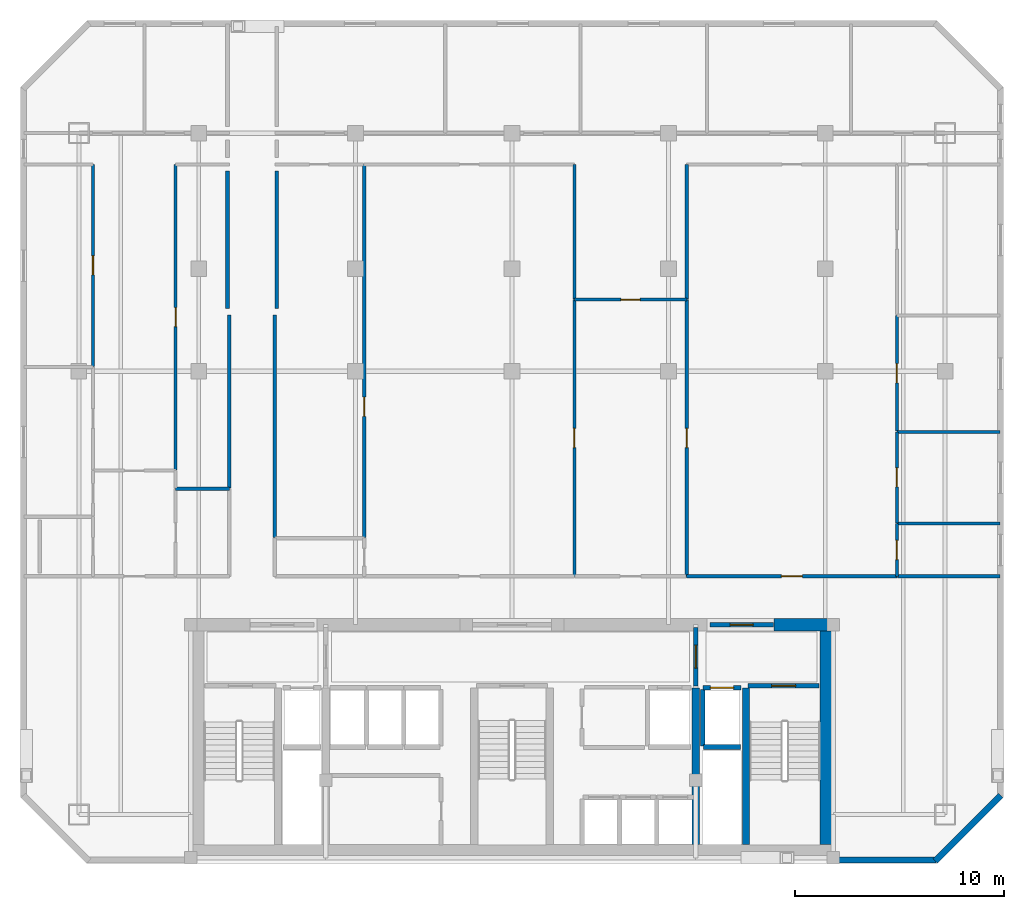
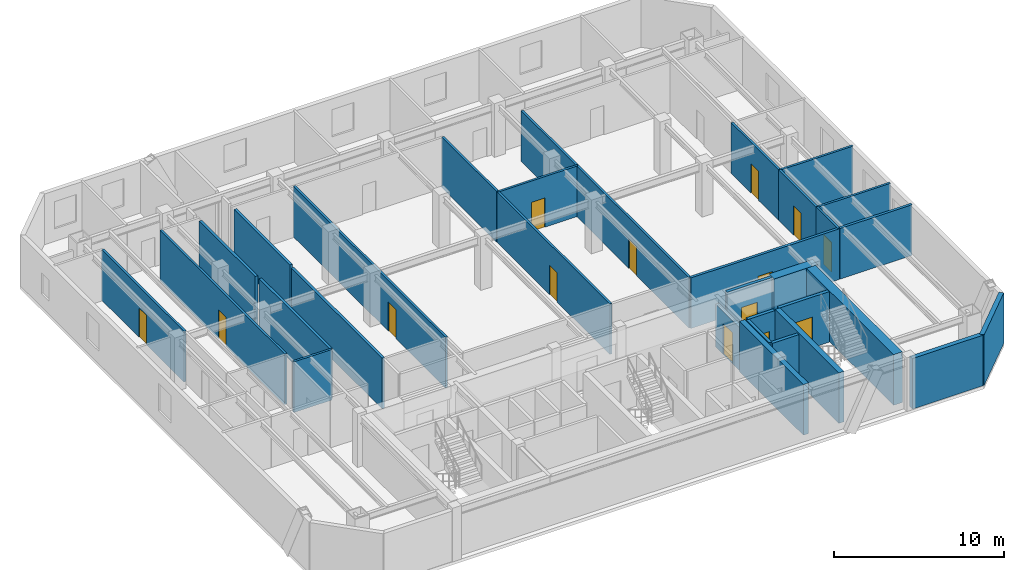
# One storey, part 4 of 7: 32 walls, 14 doors, 14 openings.
"""IFC4 building model written with IfcOpenShell, lengths in metres."""

import ifcopenshell
import ifcopenshell.guid

model = None  # the IFC model being written
_history = None  # IfcOwnerHistory: only IFC2X3 demands one
_inside = {}  # id of a spatial element -> (the spatial element, [elements in it])
_under = {}  # id of a project, library or spatial element -> (it, [spatial elements below it])
_declared = {}  # id of a project -> (the project, [libraries it declares])
_typed = {}  # id of a type object -> (the type object, [elements of that type])
_made_of = {}  # id of a material, layer set ... -> (it, [elements and type objects made of it])


def new_model(schema):
    """Start an empty IFC model of exactly this schema.

    Asked for "IFC4X3", IfcOpenShell would pick the latest addendum, in which some entities
    have other attributes; the version numbers below select the first issue.
    IFC2X3 requires an IfcOwnerHistory on every rooted entity: one is made here for all.
    """
    global model, _history
    if schema == "IFC4X3":
        model = ifcopenshell.file(schema_version=(4, 3, 0, 0))
    else:
        model = ifcopenshell.file(schema=schema)
    _inside.clear()
    _under.clear()
    _declared.clear()
    _typed.clear()
    _made_of.clear()
    _history = None
    if model.schema == "IFC2X3":
        org = make("IfcOrganization", Name="unknown")
        user = make(
            "IfcPersonAndOrganization",
            ThePerson=make("IfcPerson", FamilyName="unknown"),
            TheOrganization=org,
        )
        app = make(
            "IfcApplication",
            ApplicationDeveloper=org,
            Version="unknown",
            ApplicationFullName="unknown",
            ApplicationIdentifier="unknown",
        )
        _history = make(
            "IfcOwnerHistory",
            OwningUser=user,
            OwningApplication=app,
            ChangeAction="ADDED",
            CreationDate=0,
        )
    return model


def make(cls, **values):
    """One entity of the class cls with the attributes given. An attribute that is None is left unset."""
    return model.create_entity(
        cls, **{name: value for name, value in values.items() if value is not None}
    )


def rooted(cls, **values):
    """An entity with a GlobalId (a new one), such as an element, a storey or a relation."""
    return make(cls, GlobalId=ifcopenshell.guid.new(), OwnerHistory=_history, **values)


def si_unit(unit_type, name, prefix=None):
    """IfcSIUnit, for example si_unit("LENGTHUNIT", "METRE", prefix="MILLI")."""
    return make("IfcSIUnit", UnitType=unit_type, Prefix=prefix, Name=name)


def assignment(units):
    """IfcUnitAssignment: the units of a project."""
    return None if units is None else make("IfcUnitAssignment", Units=units)


def point(xyz):
    """IfcCartesianPoint."""
    return None if xyz is None else make("IfcCartesianPoint", Coordinates=xyz)


def direction(xyz):
    """IfcDirection."""
    return None if xyz is None else make("IfcDirection", DirectionRatios=xyz)


def frame(location, z_axis=None, x_axis=None):
    """IfcAxis2Placement3D, a coordinate frame: its origin and axes. An axis left out is left unset."""
    return make(
        "IfcAxis2Placement3D",
        Location=point(location),
        Axis=direction(z_axis),
        RefDirection=direction(x_axis),
    )


def frame_2d(location, x_axis=None):
    """IfcAxis2Placement2D, a coordinate frame in the plane: its origin and x axis."""
    return make(
        "IfcAxis2Placement2D", Location=point(location), RefDirection=direction(x_axis)
    )


def origin():
    """The frame at (0, 0, 0) with its axes left unset."""
    return frame((0.0, 0.0, 0.0))


def place(relative_to, where):
    """IfcLocalPlacement: puts the frame where relative to a parent placement (None: the world)."""
    return make(
        "IfcLocalPlacement", PlacementRelTo=relative_to, RelativePlacement=where
    )


def context(
    kind, dimensions, precision=None, world=None, true_north=None, identifier=None
):
    """IfcGeometricRepresentationContext, for example the 3D "Model" context."""
    return make(
        "IfcGeometricRepresentationContext",
        ContextIdentifier=identifier,
        ContextType=kind,
        CoordinateSpaceDimension=dimensions,
        Precision=precision,
        WorldCoordinateSystem=world,
        TrueNorth=true_north,
    )


def subcontext(parent, identifier, kind, view, scale=None):
    """IfcGeometricRepresentationSubContext, for example "Body" below "Model"."""
    return make(
        "IfcGeometricRepresentationSubContext",
        ContextIdentifier=identifier,
        ContextType=kind,
        ParentContext=parent,
        TargetScale=scale,
        TargetView=view,
    )


def project(units=None, contexts=None):
    """IfcProject with its units and contexts."""
    return rooted(
        "IfcProject",
        Name="project",
        RepresentationContexts=contexts,
        UnitsInContext=assignment(units),
    )


def spatial(cls, under=None, at=None, **own):
    """A site, building, storey or space (cls), placed at a placement, below another one or the project."""
    s = rooted(cls, ObjectPlacement=at, **own)
    if under is not None:
        _under.setdefault(under.id(), (under, []))[1].append(s)
    return s


def profile(cls, at=None, kind="AREA", **sizes):
    """A parametric profile (cls). Its sizes go by their IFC names, for example OverallWidth=200.0."""
    return make(cls, ProfileType=kind, Position=at, **sizes)


def rectangle(**sizes):
    """IfcRectangleProfileDef."""
    return profile("IfcRectangleProfileDef", **sizes)


def extrude(swept, where, along, depth):
    """IfcExtrudedAreaSolid: the profile swept, set in the frame where, extruded along a direction by depth."""
    return make(
        "IfcExtrudedAreaSolid",
        SweptArea=swept,
        Position=where,
        ExtrudedDirection=direction(along),
        Depth=depth,
    )


def shape(context_of_items, identifier, shape_type, items):
    """IfcShapeRepresentation: the items that make up one representation, for example the "Body"."""
    return make(
        "IfcShapeRepresentation",
        ContextOfItems=context_of_items,
        RepresentationIdentifier=identifier,
        RepresentationType=shape_type,
        Items=items,
    )


def material(Name=None, Category=None):
    """IfcMaterial."""
    return make("IfcMaterial", Name=Name, Category=Category)


def layer(
    of_material, thickness, ventilated=None, Name=None, Category=None, Priority=None
):
    """IfcMaterialLayer: one layer of a wall or slab, of a material (None: an air gap)."""
    return make(
        "IfcMaterialLayer",
        Material=of_material,
        LayerThickness=thickness,
        IsVentilated=ventilated,
        Name=Name,
        Category=Category,
        Priority=Priority,
    )


def layer_set(layers, Name=None):
    """IfcMaterialLayerSet."""
    return make("IfcMaterialLayerSet", MaterialLayers=layers, LayerSetName=Name)


def made_of(thing, what):
    """Note that an element or type object is made of a material, layer set ...; save() writes the relation."""
    if what is not None:
        _made_of.setdefault(what.id(), (what, []))[1].append(thing)
    return thing


def type_object(cls, material=None, **own):
    """A type object (cls), such as IfcWallType, which elements share."""
    return made_of(rooted(cls, **own), material)


def element(
    cls,
    number,
    at=None,
    inside=None,
    cuts=None,
    type_object=None,
    material=None,
    context=None,
    identifier="Body",
    shape_type=None,
    held_by="IfcProductDefinitionShape",
    body=None,
    shapes=None,
    **own,
):
    """One element of the class cls, such as IfcWall. Its Tag is "e" and its number.

    at: its placement. inside: the storey or other place that contains it. cuts: it is an
    opening in that element (IfcRelVoidsElement). A single representation is given by context,
    identifier, shape_type and body (its items); several are given by shapes. held_by: the class
    of the entity that holds the representations. save() writes the other relations.
    """
    e = rooted(cls, Tag="e%d" % number, ObjectPlacement=at, **own)
    if body is not None:
        shapes = [shape(context, identifier, shape_type, body)]
    if shapes is not None:
        e.Representation = make(held_by, Representations=shapes)
    if inside is not None:
        _inside.setdefault(inside.id(), (inside, []))[1].append(e)
    if cuts is not None:
        rooted(
            "IfcRelVoidsElement", RelatingBuildingElement=cuts, RelatedOpeningElement=e
        )
    if type_object is not None:
        _typed.setdefault(type_object.id(), (type_object, []))[1].append(e)
    return made_of(e, material)


def fill(opening, filler):
    """IfcRelFillsElement: the door or window that sits in an opening."""
    return rooted(
        "IfcRelFillsElement",
        RelatingOpeningElement=opening,
        RelatedBuildingElement=filler,
    )


def aggregate(whole, parts):
    """IfcRelAggregates: a whole, such as a stair, and the parts it consists of."""
    return rooted("IfcRelAggregates", RelatingObject=whole, RelatedObjects=parts)


def save(model, path):
    """Write the relations noted so far, then the file.

    IfcRelAggregates (storeys below a building ...), IfcRelContainedInSpatialStructure (elements
    in a storey), IfcRelDefinesByType, IfcRelAssociatesMaterial and IfcRelDeclares: one each for
    every whole, place, type object, material and project.
    """
    for whole, parts in _under.values():
        aggregate(whole, parts)
    for where, things in _inside.values():
        rooted(
            "IfcRelContainedInSpatialStructure",
            RelatedElements=things,
            RelatingStructure=where,
        )
    for kind, things in _typed.values():
        rooted("IfcRelDefinesByType", RelatedObjects=things, RelatingType=kind)
    for what, things in _made_of.values():
        rooted("IfcRelAssociatesMaterial", RelatedObjects=things, RelatingMaterial=what)
    for by, libraries in _declared.values():
        rooted("IfcRelDeclares", RelatingContext=by, RelatedDefinitions=libraries)
    model.write(path)


model = new_model("IFC4")

# Units and contexts
model_context = context("Model", 3, precision=1e-05, world=origin(), true_north=direction((0.0, 1.0)))
body_context = subcontext(model_context, "Body", "Model", "MODEL_VIEW")
ifc_project = project(units=[si_unit("LENGTHUNIT", "METRE"), si_unit("AREAUNIT", "SQUARE_METRE"), si_unit("VOLUMEUNIT", "CUBIC_METRE"), si_unit("PLANEANGLEUNIT", "RADIAN"), si_unit("MASSUNIT", "GRAM", prefix="KILO")], contexts=[model_context])

# Site, building, storey
site_placement = place(None, origin())
site = spatial("IfcSite", under=ifc_project, at=site_placement, CompositionType="ELEMENT")
building_placement = place(site_placement, origin())
building = spatial("IfcBuilding", under=site, at=building_placement, Name="Ventersveld Concourse Tower", CompositionType="ELEMENT")
storey_placement = place(building_placement, frame((0.0, 0.0, 211.85009765625)))
storey = spatial("IfcBuildingStorey", under=building, at=storey_placement, Name="L52", CompositionType="ELEMENT", Elevation=211.85009765625)

# Walls
ifc_material_1 = material(Name="Concrete C50/60", Category="concrete")
ifc_layer_1 = layer(ifc_material_1, 0.35009765625)
ifc_layer_set_1 = layer_set([ifc_layer_1], Name="Concrete C50/60")
wall_type_1 = type_object("IfcWallType", Name="WL-CORE-350U", PredefinedType="SHEAR", material=ifc_layer_set_1)
for number, where, z_axis, x_axis, name in (
    (1, (37.550048828125, 0.919921875, 0.0), (0.0, 0.0, 1.0), (0.0, 1.0, 0.0), "L52 Core Internal Shear Web W-SVL-W"),
    (2, (39.9599609375, 0.919921875, 0.0), (0.0, 0.0, 1.0), (0.0, 1.0, 0.0), "L52 Core Internal Shear Web W-ST2-W"),
):
    element("IfcWall", number, at=place(storey_placement, frame(where, z_axis=z_axis, x_axis=x_axis)), inside=storey, type_object=wall_type_1, Name=name, PredefinedType="SHEAR", context=body_context, shape_type="SweptSolid", body=[
        extrude(rectangle(XDim=7.5, YDim=0.35009765625, at=frame_2d((3.75, 0.0))), origin(), (0.0, 0.0, 1.0), 3.6298828125),
    ])
ifc_layer_2 = layer(ifc_material_1, 0.60009765625)
ifc_layer_set_2 = layer_set([ifc_layer_2], Name="Concrete C50/60")
wall_type_2 = type_object("IfcWallType", Name="WL-CORE-600", PredefinedType="SHEAR", material=ifc_layer_set_2)
wall_1_placement = place(storey_placement, frame((43.800048828125, 0.919921875, 0.0), z_axis=(0.0, 0.0, 1.0), x_axis=(0.0, 1.0, 0.0)))
element("IfcWall", 3, at=wall_1_placement, inside=storey, type_object=wall_type_2, Name="L52 Rear Core East Shear Wall", PredefinedType="SHEAR", context=body_context, shape_type="SweptSolid", body=[
    extrude(rectangle(XDim=10.530029296875, YDim=0.60009765625, at=frame_2d((5.26513671875, 0.0))), origin(), (0.0, 0.0, 1.0), 3.6298828125),
])
wall_2_placement = place(storey_placement, frame((41.300048828125, 11.449951171875, 0.0), z_axis=(0.0, 0.0, 1.0), x_axis=(1.0, 0.0, 0.0)))
element("IfcWall", 4, at=wall_2_placement, inside=storey, type_object=wall_type_2, Name="L52 Rear Core North Shear Wall NE", PredefinedType="SHEAR", context=body_context, shape_type="SweptSolid", body=[
    extrude(rectangle(XDim=2.949951171875, YDim=0.60009765625, at=frame_2d((1.47509765625, 0.0))), origin(), (0.0, 0.0, 1.0), 3.6298828125),
])
ifc_material_2 = material(Name="Fire-rated autoclaved aerated masonry blockwork", Category="masonry")
ifc_layer_3 = layer(ifc_material_2, 0.179931640625)
ifc_layer_set_3 = layer_set([ifc_layer_3], Name="Fire-rated autoclaved aerated masonry blockwork")
wall_type_3 = type_object("IfcWallType", Name="WL-CORR-180", PredefinedType="PARTITIONING", material=ifc_layer_set_3)
wall_3_placement = place(storey_placement, frame((15.2099609375, 17.997314453125, 0.0), z_axis=(0.0, 0.0, 1.0), x_axis=(0.0, 1.0, 0.0)))
element("IfcWall", 5, at=wall_3_placement, inside=storey, type_object=wall_type_3, Name="L52 Interior Partition SP-L52-COR-SP-L52-52NW-OFFR1", PredefinedType="PARTITIONING", context=body_context, shape_type="SweptSolid", body=[
    extrude(rectangle(XDim=8.297607421875, YDim=0.179931640625, at=frame_2d((4.14892578125, 0.0))), origin(), (0.0, 0.0, 1.0), 3.6298828125),
])

# Wall, opening, door
wall_4_placement = place(storey_placement, frame((37.114990234375, 13.77001953125, 0.0), z_axis=(0.0, 0.0, 1.0), x_axis=(1.0, 0.0, 0.0)))
wall_4 = element("IfcWall", 6, at=wall_4_placement, inside=storey, type_object=wall_type_3, Name="L52 Interior Partition SP-L52-COR-SP-L52-52N1-EGAL1", PredefinedType="PARTITIONING", context=body_context, shape_type="SweptSolid", body=[
    extrude(rectangle(XDim=10.080078125, YDim=0.179931640625, at=frame_2d((5.0400390625, 0.0))), origin(), (0.0, 0.0, 1.0), 3.6298828125),
])
opening_1_placement = place(wall_4_placement, frame((4.5400390625, 0.0, 0.0)))
opening_1 = element("IfcOpeningElement", 7, at=opening_1_placement, cuts=wall_4, Name="Opening FD3", PredefinedType="OPENING", context=body_context, shape_type="SweptSolid", body=[
    extrude(rectangle(XDim=1.0, YDim=2.14990234375, at=frame_2d((0.5, 1.074951171875))), frame((0.0, 0.10009765625, 0.0), z_axis=(0.0, -1.0, 0.0), x_axis=(1.0, 0.0, 0.0)), (0.0, 0.0, 1.0), 0.199951171875),
])
ifc_material_3 = material(Name="Solid-core hardwood veneer timber", Category="wood")
door_type_1 = type_object("IfcDoorType", Name="DR-FLAT-100", OperationType="NOTDEFINED", PredefinedType="DOOR", material=ifc_material_3)
door_1_placement = place(opening_1_placement, origin())
door_1 = element("IfcDoor", 8, at=door_1_placement, inside=storey, type_object=door_type_1, Name="L52 Interior Door SP-L52-COR to SP-L52-52N1-EGAL1 (FD-L52-2524)", OperationType="SINGLE_SWING_RIGHT", OverallHeight=2.14990234375, OverallWidth=1.0, PredefinedType="DOOR", context=body_context, shape_type="SweptSolid", body=[
    extrude(rectangle(XDim=1.0, YDim=2.14990234375, at=frame_2d((0.5, 1.074951171875))), frame((0.0, 0.02490234375, 0.0), z_axis=(0.0, -1.0, 0.0), x_axis=(1.0, 0.0, 0.0)), (0.0, 0.0, 1.0), 0.050048828125),
])
fill(opening_1, door_1)

# Walls
wall_5_placement = place(storey_placement, frame((17.389892578125, 15.635009765625, 0.0), z_axis=(0.0, 0.0, 1.0), x_axis=(0.0, 1.0, 0.0)))
element("IfcWall", 9, at=wall_5_placement, inside=storey, type_object=wall_type_3, Name="L52 Interior Partition SP-L52-COR-SP-L52-52N1-OFFL0", PredefinedType="PARTITIONING", context=body_context, shape_type="SweptSolid", body=[
    extrude(rectangle(XDim=10.659912109375, YDim=0.179931640625, at=frame_2d((5.330078125, 0.0))), origin(), (0.0, 0.0, 1.0), 3.6298828125),
])
wall_6_placement = place(storey_placement, frame((47.22509765625, 13.77001953125, 0.0), z_axis=(0.0, 0.0, 1.0), x_axis=(1.0, 0.0, 0.0)))
element("IfcWall", 10, at=wall_6_placement, inside=storey, type_object=wall_type_3, Name="L52 Interior Partition SP-L52-COR-SP-L52-52N1-KIT", PredefinedType="PARTITIONING", context=body_context, shape_type="SweptSolid", body=[
    extrude(rectangle(XDim=4.90234375, YDim=0.179931640625, at=frame_2d((2.451171875, 0.0))), origin(), (0.0, 0.0, 1.0), 3.6298828125),
])
for number, where, z_axis, x_axis, name in (
    (11, (15.1201171875, 33.175048828125, 0.0), (0.0, 0.0, 1.0), (0.0, -1.0, 0.0), "L52 Room Enclosure Wall SP-L52-52NW-OFFR1"),
    (12, (17.47998046875, 26.60986328125, 0.0), (0.0, 0.0, 1.0), (0.0, 1.0, 0.0), "L52 Room Enclosure Wall SP-L52-52N1-OFFL0"),
):
    element("IfcWall", number, at=place(storey_placement, frame(where, z_axis=z_axis, x_axis=x_axis)), inside=storey, type_object=wall_type_3, Name=name, PredefinedType="PARTITIONING", context=body_context, shape_type="SweptSolid", body=[
        extrude(rectangle(XDim=6.565185546875, YDim=0.179931640625, at=frame_2d((3.28271484375, 0.0))), origin(), (0.0, 0.0, 1.0), 3.6298828125),
    ])
ifc_layer_4 = layer(ifc_material_2, 0.219970703125)
ifc_layer_set_4 = layer_set([ifc_layer_4], Name="Fire-rated autoclaved aerated masonry blockwork")
wall_type_4 = type_object("IfcWallType", Name="WL-HOIST-220", PredefinedType="SOLIDWALL", material=ifc_layer_set_4)
wall_7_placement = place(storey_placement, frame((37.919921875, 5.590087890625, 0.0), z_axis=(0.0, 0.0, 1.0), x_axis=(1.0, 0.0, 0.0)))
element("IfcWall", 13, at=wall_7_placement, inside=storey, type_object=wall_type_4, Name="L52 Lift Hoistway Back Wall FFL-02", PredefinedType="SOLIDWALL", context=body_context, shape_type="SweptSolid", body=[
    extrude(rectangle(XDim=1.780029296875, YDim=0.219970703125, at=frame_2d((0.89013671875, 0.0))), origin(), (0.0, 0.0, 1.0), 3.6298828125),
])
wall_8_placement = place(storey_placement, frame((37.8798828125, 5.64990234375, 0.0), z_axis=(0.0, 0.0, 1.0), x_axis=(0.0, 1.0, 0.0)))
element("IfcWall", 14, at=wall_8_placement, inside=storey, type_object=wall_type_4, Name="L52 Lift Hoistway Side Wall FFL-02W", PredefinedType="SOLIDWALL", context=body_context, shape_type="SweptSolid", body=[
    extrude(rectangle(XDim=2.7001953125, YDim=0.219970703125, at=frame_2d((1.35009765625, 0.0))), origin(), (0.0, 0.0, 1.0), 3.6298828125),
])

# Wall, opening, door
wall_9_placement = place(storey_placement, frame((37.89990234375, 8.429931640625, 0.0), z_axis=(0.0, 0.0, 1.0), x_axis=(1.0, 0.0, 0.0)))
wall_9 = element("IfcWall", 15, at=wall_9_placement, inside=storey, type_object=wall_type_4, Name="L52 Lift Hoistway Front Wall FFL-02", PredefinedType="SOLIDWALL", context=body_context, shape_type="SweptSolid", body=[
    extrude(rectangle(XDim=1.820068359375, YDim=0.219970703125, at=frame_2d((0.91015625, 0.0))), origin(), (0.0, 0.0, 1.0), 3.6298828125),
])
opening_2_placement = place(wall_9_placement, frame((0.35009765625, 0.0, 0.0)))
opening_2 = element("IfcOpeningElement", 16, at=opening_2_placement, cuts=wall_9, Name="Opening LD1", PredefinedType="OPENING", context=body_context, shape_type="SweptSolid", body=[
    extrude(rectangle(XDim=1.1201171875, YDim=2.25, at=frame_2d((0.56005859375, 1.125))), frame((0.0, 0.1201171875, 0.0), z_axis=(0.0, -1.0, 0.0), x_axis=(1.0, 0.0, 0.0)), (0.0, 0.0, 1.0), 0.239990234375),
])
ifc_material_4 = material(Name="Brushed stainless steel 316", Category="steel")
door_type_2 = type_object("IfcDoorType", Name="LD-FF-112", OperationType="SLIDING_TO_LEFT", PredefinedType="DOOR", material=ifc_material_4)
door_2_placement = place(opening_2_placement, origin())
door_2 = element("IfcDoor", 17, at=door_2_placement, inside=storey, type_object=door_type_2, Name="L52 Lift landing door FFL-02 (LD-L52-FFL-02)", OperationType="SLIDING_TO_RIGHT", OverallHeight=2.25, OverallWidth=1.1201171875, PredefinedType="DOOR", context=body_context, shape_type="SweptSolid", body=[
    extrude(rectangle(XDim=1.1201171875, YDim=2.25, at=frame_2d((0.56005859375, 1.125))), frame((0.0, 0.02490234375, 0.0), z_axis=(0.0, -1.0, 0.0), x_axis=(1.0, 0.0, 0.0)), (0.0, 0.0, 1.0), 0.050048828125),
])
fill(opening_2, door_2)

wall_10_placement = place(storey_placement, frame((40.06005859375, 8.52001953125, 0.0), z_axis=(0.0, 0.0, 1.0), x_axis=(1.0, 0.0, 0.0)))
wall_10 = element("IfcWall", 18, at=wall_10_placement, inside=storey, type_object=wall_type_4, Name="L52 Escape Stair ST02 Fire Wall", PredefinedType="SOLIDWALL", context=body_context, shape_type="SweptSolid", body=[
    extrude(rectangle(XDim=3.39990234375, YDim=0.219970703125, at=frame_2d((1.699951171875, 0.0))), origin(), (0.0, 0.0, 1.0), 3.6298828125),
])
opening_3_placement = place(wall_10_placement, frame((1.125, 0.0, 0.0)))
opening_3 = element("IfcOpeningElement", 19, at=opening_3_placement, cuts=wall_10, Name="Opening FD1", PredefinedType="OPENING", context=body_context, shape_type="SweptSolid", body=[
    extrude(rectangle(XDim=1.14990234375, YDim=2.199951171875, at=frame_2d((0.574951171875, 1.10009765625))), frame((0.0, 0.1201171875, 0.0), z_axis=(0.0, -1.0, 0.0), x_axis=(1.0, 0.0, 0.0)), (0.0, 0.0, 1.0), 0.239990234375),
])
ifc_material_5 = material(Name="Galvanised painted steel", Category="steel")
door_type_3 = type_object("IfcDoorType", Name="DR-STAIR-115", OperationType="NOTDEFINED", PredefinedType="DOOR", material=ifc_material_5)
door_3_placement = place(opening_3_placement, origin())
door_3 = element("IfcDoor", 20, at=door_3_placement, inside=storey, type_object=door_type_3, Name="L52 Escape Stair Door ST02 (SD-L52-2513)", OperationType="SINGLE_SWING_RIGHT", OverallHeight=2.199951171875, OverallWidth=1.14990234375, PredefinedType="DOOR", context=body_context, shape_type="SweptSolid", body=[
    extrude(rectangle(XDim=1.14990234375, YDim=2.199951171875, at=frame_2d((0.574951171875, 1.10009765625))), frame((0.0, 0.02490234375, 0.0), z_axis=(0.0, -1.0, 0.0), x_axis=(1.0, 0.0, 0.0)), (0.0, 0.0, 1.0), 0.050048828125),
])
fill(opening_3, door_3)

wall_11_placement = place(storey_placement, frame((37.550048828125, 8.52001953125, 0.0), z_axis=(0.0, 0.0, 1.0), x_axis=(0.0, 1.0, 0.0)))
wall_11 = element("IfcWall", 21, at=wall_11_placement, inside=storey, type_object=wall_type_4, Name="L52 Firefighting Lobby Smoke-Stop Wall FFLE-SEP", PredefinedType="SOLIDWALL", context=body_context, shape_type="SweptSolid", body=[
    extrude(rectangle(XDim=2.800048828125, YDim=0.219970703125, at=frame_2d((1.39990234375, 0.0))), origin(), (0.0, 0.0, 1.0), 3.08544921875),
])
opening_4_placement = place(wall_11_placement, frame((0.85009765625, 0.0, 0.0)))
opening_4 = element("IfcOpeningElement", 22, at=opening_4_placement, cuts=wall_11, Name="Opening FD2", PredefinedType="OPENING", context=body_context, shape_type="SweptSolid", body=[
    extrude(rectangle(XDim=1.10009765625, YDim=2.199951171875, at=frame_2d((0.550048828125, 1.10009765625))), frame((0.0, 0.1201171875, 0.0), z_axis=(0.0, -1.0, 0.0), x_axis=(1.0, 0.0, 0.0)), (0.0, 0.0, 1.0), 0.239990234375),
])
door_type_4 = type_object("IfcDoorType", Name="DR-FFL-110", OperationType="NOTDEFINED", PredefinedType="DOOR", material=ifc_material_5)
door_4_placement = place(opening_4_placement, origin())
door_4 = element("IfcDoor", 23, at=door_4_placement, inside=storey, type_object=door_type_4, Name="L52 Firefighting Lobby Door FFLE-SEP (FD-L52-2516)", OperationType="SINGLE_SWING_RIGHT", OverallHeight=2.199951171875, OverallWidth=1.10009765625, PredefinedType="DOOR", context=body_context, shape_type="SweptSolid", body=[
    extrude(rectangle(XDim=1.10009765625, YDim=2.199951171875, at=frame_2d((0.550048828125, 1.10009765625))), frame((0.0, 0.02490234375, 0.0), z_axis=(0.0, -1.0, 0.0), x_axis=(1.0, 0.0, 0.0)), (0.0, 0.0, 1.0), 0.050048828125),
])
fill(opening_4, door_4)

wall_12_placement = place(storey_placement, frame((38.22998046875, 11.449951171875, 0.0), z_axis=(0.0, 0.0, 1.0), x_axis=(1.0, 0.0, 0.0)))
wall_12 = element("IfcWall", 24, at=wall_12_placement, inside=storey, type_object=wall_type_4, Name="L52 Core North Fire Portal FFLE-OUT", PredefinedType="SOLIDWALL", context=body_context, shape_type="SweptSolid", body=[
    extrude(rectangle(XDim=3.0400390625, YDim=0.219970703125, at=frame_2d((1.52001953125, 0.0))), origin(), (0.0, 0.0, 1.0), 3.6298828125),
])
opening_5_placement = place(wall_12_placement, frame((0.969970703125, 0.0, 0.0)))
opening_5 = element("IfcOpeningElement", 25, at=opening_5_placement, cuts=wall_12, Name="Opening FD2", PredefinedType="OPENING", context=body_context, shape_type="SweptSolid", body=[
    extrude(rectangle(XDim=1.10009765625, YDim=2.199951171875, at=frame_2d((0.550048828125, 1.10009765625))), frame((0.0, 0.1201171875, 0.0), z_axis=(0.0, -1.0, 0.0), x_axis=(1.0, 0.0, 0.0)), (0.0, 0.0, 1.0), 0.239990234375),
])
door_5_placement = place(opening_5_placement, origin())
door_5 = element("IfcDoor", 26, at=door_5_placement, inside=storey, type_object=door_type_4, Name="L52 Core Lobby Fire Door FFLE-OUT (FD-L52-2519)", OperationType="SINGLE_SWING_LEFT", OverallHeight=2.199951171875, OverallWidth=1.10009765625, PredefinedType="DOOR", context=body_context, shape_type="SweptSolid", body=[
    extrude(rectangle(XDim=1.10009765625, YDim=2.199951171875, at=frame_2d((0.550048828125, 1.10009765625))), frame((0.0, 0.02490234375, 0.0), z_axis=(0.0, -1.0, 0.0), x_axis=(1.0, 0.0, 0.0)), (0.0, 0.0, 1.0), 0.050048828125),
])
fill(opening_5, door_5)

ifc_material_6 = material(Name="Autoclaved aerated masonry blockwork", Category="masonry")
ifc_layer_5 = layer(ifc_material_6, 0.14990234375)
ifc_layer_set_5 = layer_set([ifc_layer_5], Name="Autoclaved aerated masonry blockwork")
wall_type_5 = type_object("IfcWallType", Name="WL-INT-150", PredefinedType="PARTITIONING", material=ifc_layer_set_5)
wall_13_placement = place(storey_placement, frame((8.677490234375, 23.826416015625, 0.0), z_axis=(0.0, 0.0, 1.0), x_axis=(0.0, 1.0, 0.0)))
wall_13 = element("IfcWall", 27, at=wall_13_placement, inside=storey, type_object=wall_type_5, Name="L52 Interior Partition SP-L52-52NW-LIV-SP-L52-52NW-MEDL2", PredefinedType="PARTITIONING", context=body_context, shape_type="SweptSolid", body=[
    extrude(rectangle(XDim=9.678466796875, YDim=0.14990234375, at=frame_2d((4.83935546875, 0.0))), origin(), (0.0, 0.0, 1.0), 3.6298828125),
])
opening_6_placement = place(wall_13_placement, frame((4.37939453125, 0.0, 0.0)))
opening_6 = element("IfcOpeningElement", 28, at=opening_6_placement, cuts=wall_13, Name="Opening ID1", PredefinedType="OPENING", context=body_context, shape_type="SweptSolid", body=[
    extrude(rectangle(XDim=0.919921875, YDim=2.10009765625, at=frame_2d((0.4599609375, 1.050048828125))), frame((0.0, 0.0849609375, 0.0), z_axis=(0.0, -1.0, 0.0), x_axis=(1.0, 0.0, 0.0)), (0.0, 0.0, 1.0), 0.169921875),
])
door_type_5 = type_object("IfcDoorType", Name="DR-ROOM-092", OperationType="NOTDEFINED", PredefinedType="DOOR", material=ifc_material_3)
door_6_placement = place(opening_6_placement, origin())
door_6 = element("IfcDoor", 29, at=door_6_placement, inside=storey, type_object=door_type_5, Name="L52 Interior Door SP-L52-52NW-LIV to SP-L52-52NW-MEDL2 (D-L52-2531)", OperationType="SINGLE_SWING_LEFT", OverallHeight=2.10009765625, OverallWidth=0.919921875, PredefinedType="DOOR", context=body_context, shape_type="SweptSolid", body=[
    extrude(rectangle(XDim=0.919921875, YDim=2.10009765625, at=frame_2d((0.4599609375, 1.050048828125))), frame((0.0, 0.02490234375, 0.0), z_axis=(0.0, -1.0, 0.0), x_axis=(1.0, 0.0, 0.0)), (0.0, 0.0, 1.0), 0.050048828125),
])
fill(opening_6, door_6)

wall_14_placement = place(storey_placement, frame((12.637451171875, 18.868408203125, 0.0), z_axis=(0.0, 0.0, 1.0), x_axis=(0.0, 1.0, 0.0)))
wall_14 = element("IfcWall", 30, at=wall_14_placement, inside=storey, type_object=wall_type_5, Name="L52 Interior Partition SP-L52-52NW-LIV-SP-L52-52NW-OFFR1", PredefinedType="PARTITIONING", context=body_context, shape_type="SweptSolid", body=[
    extrude(rectangle(XDim=14.636474609375, YDim=0.14990234375, at=frame_2d((7.318359375, 0.0))), origin(), (0.0, 0.0, 1.0), 3.6298828125),
])
opening_7_placement = place(wall_14_placement, frame((6.8583984375, 0.0, 0.0)))
opening_7 = element("IfcOpeningElement", 31, at=opening_7_placement, cuts=wall_14, Name="Opening ID1", PredefinedType="OPENING", context=body_context, shape_type="SweptSolid", body=[
    extrude(rectangle(XDim=0.919921875, YDim=2.10009765625, at=frame_2d((0.4599609375, 1.050048828125))), frame((0.0, 0.0849609375, 0.0), z_axis=(0.0, -1.0, 0.0), x_axis=(1.0, 0.0, 0.0)), (0.0, 0.0, 1.0), 0.169921875),
])
door_7_placement = place(opening_7_placement, origin())
door_7 = element("IfcDoor", 32, at=door_7_placement, inside=storey, type_object=door_type_5, Name="L52 Interior Door SP-L52-52NW-LIV to SP-L52-52NW-OFFR1 (D-L52-2532)", OperationType="SINGLE_SWING_RIGHT", OverallHeight=2.10009765625, OverallWidth=0.919921875, PredefinedType="DOOR", context=body_context, shape_type="SweptSolid", body=[
    extrude(rectangle(XDim=0.919921875, YDim=2.10009765625, at=frame_2d((0.4599609375, 1.050048828125))), frame((0.0, 0.02490234375, 0.0), z_axis=(0.0, -1.0, 0.0), x_axis=(1.0, 0.0, 0.0)), (0.0, 0.0, 1.0), 0.050048828125),
])
fill(opening_7, door_7)

# Wall
wall_15_placement = place(storey_placement, frame((12.63232421875, 17.96240234375, 0.0), z_axis=(0.0, 0.0, 1.0), x_axis=(1.0, 0.0, 0.0)))
element("IfcWall", 33, at=wall_15_placement, inside=storey, type_object=wall_type_5, Name="L52 Interior Partition SP-L52-52NW-KIT-SP-L52-52NW-OFFR1", PredefinedType="PARTITIONING", context=body_context, shape_type="SweptSolid", body=[
    extrude(rectangle(XDim=2.582763671875, YDim=0.14990234375, at=frame_2d((1.29150390625, 0.0))), origin(), (0.0, 0.0, 1.0), 3.6298828125),
])

# Wall, opening, door
wall_16_placement = place(storey_placement, frame((31.739990234375, 13.764892578125, 0.0), z_axis=(0.0, 0.0, 1.0), x_axis=(0.0, 1.0, 0.0)))
wall_16 = element("IfcWall", 34, at=wall_16_placement, inside=storey, type_object=wall_type_5, Name="L52 Interior Partition SP-L52-52N1-WGAL1-SP-L52-52N1-FOY", PredefinedType="PARTITIONING", context=body_context, shape_type="SweptSolid", body=[
    extrude(rectangle(XDim=13.26708984375, YDim=0.14990234375, at=frame_2d((6.633544921875, 0.0))), origin(), (0.0, 0.0, 1.0), 3.6298828125),
])
opening_8_placement = place(wall_16_placement, frame((6.17333984375, 0.0, 0.0)))
opening_8 = element("IfcOpeningElement", 35, at=opening_8_placement, cuts=wall_16, Name="Opening ID1", PredefinedType="OPENING", context=body_context, shape_type="SweptSolid", body=[
    extrude(rectangle(XDim=0.919921875, YDim=2.10009765625, at=frame_2d((0.4599609375, 1.050048828125))), frame((0.0, 0.0849609375, 0.0), z_axis=(0.0, -1.0, 0.0), x_axis=(1.0, 0.0, 0.0)), (0.0, 0.0, 1.0), 0.169921875),
])
door_8_placement = place(opening_8_placement, origin())
door_8 = element("IfcDoor", 36, at=door_8_placement, inside=storey, type_object=door_type_5, Name="L52 Interior Door SP-L52-52N1-WGAL1 to SP-L52-52N1-FOY (D-L52-2535)", OperationType="SINGLE_SWING_LEFT", OverallHeight=2.10009765625, OverallWidth=0.919921875, PredefinedType="DOOR", context=body_context, shape_type="SweptSolid", body=[
    extrude(rectangle(XDim=0.919921875, YDim=2.10009765625, at=frame_2d((0.4599609375, 1.050048828125))), frame((0.0, 0.02490234375, 0.0), z_axis=(0.0, -1.0, 0.0), x_axis=(1.0, 0.0, 0.0)), (0.0, 0.0, 1.0), 0.050048828125),
])
fill(opening_8, door_8)

# Wall
wall_17_placement = place(storey_placement, frame((31.739990234375, 27.06201171875, 0.0), z_axis=(0.0, 0.0, 1.0), x_axis=(0.0, 1.0, 0.0)))
element("IfcWall", 37, at=wall_17_placement, inside=storey, type_object=wall_type_5, Name="L52 Interior Partition SP-L52-52N1-WGAL1-SP-L52-52N1-LIV", PredefinedType="PARTITIONING", context=body_context, shape_type="SweptSolid", body=[
    extrude(rectangle(XDim=6.44287109375, YDim=0.14990234375, at=frame_2d((3.221435546875, 0.0))), origin(), (0.0, 0.0, 1.0), 3.6298828125),
])

# Wall, opening, door
wall_18_placement = place(storey_placement, frame((21.669921875, 15.635009765625, 0.0), z_axis=(0.0, 0.0, 1.0), x_axis=(0.0, 1.0, 0.0)))
wall_18 = element("IfcWall", 38, at=wall_18_placement, inside=storey, type_object=wall_type_5, Name="L52 Interior Partition SP-L52-52N1-WGAL1-SP-L52-52N1-OFFL0", PredefinedType="PARTITIONING", context=body_context, shape_type="SweptSolid", body=[
    extrude(rectangle(XDim=17.869873046875, YDim=0.14990234375, at=frame_2d((8.93505859375, 0.0))), origin(), (0.0, 0.0, 1.0), 3.6298828125),
])
opening_9_placement = place(wall_18_placement, frame((5.79443359375, 0.0, 0.0)))
opening_9 = element("IfcOpeningElement", 39, at=opening_9_placement, cuts=wall_18, Name="Opening ID1", PredefinedType="OPENING", context=body_context, shape_type="SweptSolid", body=[
    extrude(rectangle(XDim=0.919921875, YDim=2.10009765625, at=frame_2d((0.4599609375, 1.050048828125))), frame((0.0, 0.0849609375, 0.0), z_axis=(0.0, -1.0, 0.0), x_axis=(1.0, 0.0, 0.0)), (0.0, 0.0, 1.0), 0.169921875),
])
door_9_placement = place(opening_9_placement, origin())
door_9 = element("IfcDoor", 40, at=door_9_placement, inside=storey, type_object=door_type_5, Name="L52 Interior Door SP-L52-52N1-WGAL1 to SP-L52-52N1-OFFL0 (D-L52-2538)", OperationType="SINGLE_SWING_RIGHT", OverallHeight=2.10009765625, OverallWidth=0.919921875, PredefinedType="DOOR", context=body_context, shape_type="SweptSolid", body=[
    extrude(rectangle(XDim=0.919921875, YDim=2.10009765625, at=frame_2d((0.4599609375, 1.050048828125))), frame((0.0, 0.02490234375, 0.0), z_axis=(0.0, -1.0, 0.0), x_axis=(1.0, 0.0, 0.0)), (0.0, 0.0, 1.0), 0.050048828125),
])
fill(opening_9, door_9)

wall_19_placement = place(storey_placement, frame((37.1201171875, 13.764892578125, 0.0), z_axis=(0.0, 0.0, 1.0), x_axis=(0.0, 1.0, 0.0)))
wall_19 = element("IfcWall", 41, at=wall_19_placement, inside=storey, type_object=wall_type_5, Name="L52 Interior Partition SP-L52-52N1-EGAL1-SP-L52-52N1-FOY", PredefinedType="PARTITIONING", context=body_context, shape_type="SweptSolid", body=[
    extrude(rectangle(XDim=13.26708984375, YDim=0.14990234375, at=frame_2d((6.633544921875, 0.0))), origin(), (0.0, 0.0, 1.0), 3.6298828125),
])
opening_10_placement = place(wall_19_placement, frame((6.17333984375, 0.0, 0.0)))
opening_10 = element("IfcOpeningElement", 42, at=opening_10_placement, cuts=wall_19, Name="Opening ID1", PredefinedType="OPENING", context=body_context, shape_type="SweptSolid", body=[
    extrude(rectangle(XDim=0.919921875, YDim=2.10009765625, at=frame_2d((0.4599609375, 1.050048828125))), frame((0.0, 0.0849609375, 0.0), z_axis=(0.0, -1.0, 0.0), x_axis=(1.0, 0.0, 0.0)), (0.0, 0.0, 1.0), 0.169921875),
])
door_10_placement = place(opening_10_placement, origin())
door_10 = element("IfcDoor", 43, at=door_10_placement, inside=storey, type_object=door_type_5, Name="L52 Interior Door SP-L52-52N1-EGAL1 to SP-L52-52N1-FOY (D-L52-2539)", OperationType="SINGLE_SWING_LEFT", OverallHeight=2.10009765625, OverallWidth=0.919921875, PredefinedType="DOOR", context=body_context, shape_type="SweptSolid", body=[
    extrude(rectangle(XDim=0.919921875, YDim=2.10009765625, at=frame_2d((0.4599609375, 1.050048828125))), frame((0.0, 0.02490234375, 0.0), z_axis=(0.0, -1.0, 0.0), x_axis=(1.0, 0.0, 0.0)), (0.0, 0.0, 1.0), 0.050048828125),
])
fill(opening_10, door_10)

# Wall
wall_20_placement = place(storey_placement, frame((37.1201171875, 27.06201171875, 0.0), z_axis=(0.0, 0.0, 1.0), x_axis=(0.0, 1.0, 0.0)))
element("IfcWall", 44, at=wall_20_placement, inside=storey, type_object=wall_type_5, Name="L52 Interior Partition SP-L52-52N1-EGAL1-SP-L52-52N1-LIV", PredefinedType="PARTITIONING", context=body_context, shape_type="SweptSolid", body=[
    extrude(rectangle(XDim=6.44287109375, YDim=0.14990234375, at=frame_2d((3.221435546875, 0.0))), origin(), (0.0, 0.0, 1.0), 3.6298828125),
])

# Wall, opening, door
wall_21_placement = place(storey_placement, frame((47.18994140625, 13.764892578125, 0.0), z_axis=(0.0, 0.0, 1.0), x_axis=(0.0, 1.0, 0.0)))
wall_21 = element("IfcWall", 45, at=wall_21_placement, inside=storey, type_object=wall_type_5, Name="L52 Interior Partition SP-L52-52N1-EGAL1-SP-L52-52N1-KIT", PredefinedType="PARTITIONING", context=body_context, shape_type="SweptSolid", body=[
    extrude(rectangle(XDim=2.531494140625, YDim=0.14990234375, at=frame_2d((1.265625, 0.0))), origin(), (0.0, 0.0, 1.0), 3.6298828125),
])
opening_11_placement = place(wall_21_placement, frame((0.805908203125, 0.0, 0.0)))
opening_11 = element("IfcOpeningElement", 46, at=opening_11_placement, cuts=wall_21, Name="Opening ID1", PredefinedType="OPENING", context=body_context, shape_type="SweptSolid", body=[
    extrude(rectangle(XDim=0.919921875, YDim=2.10009765625, at=frame_2d((0.4599609375, 1.050048828125))), frame((0.0, 0.0849609375, 0.0), z_axis=(0.0, -1.0, 0.0), x_axis=(1.0, 0.0, 0.0)), (0.0, 0.0, 1.0), 0.169921875),
])
door_11_placement = place(opening_11_placement, origin())
door_11 = element("IfcDoor", 47, at=door_11_placement, inside=storey, type_object=door_type_5, Name="L52 Interior Door SP-L52-52N1-EGAL1 to SP-L52-52N1-KIT (D-L52-2541)", OperationType="SINGLE_SWING_LEFT", OverallHeight=2.10009765625, OverallWidth=0.919921875, PredefinedType="DOOR", context=body_context, shape_type="SweptSolid", body=[
    extrude(rectangle(XDim=0.919921875, YDim=2.10009765625, at=frame_2d((0.4599609375, 1.050048828125))), frame((0.0, 0.02490234375, 0.0), z_axis=(0.0, -1.0, 0.0), x_axis=(1.0, 0.0, 0.0)), (0.0, 0.0, 1.0), 0.050048828125),
])
fill(opening_11, door_11)

wall_22_placement = place(storey_placement, frame((47.18994140625, 16.326416015625, 0.0), z_axis=(0.0, 0.0, 1.0), x_axis=(0.0, 1.0, 0.0)))
wall_22 = element("IfcWall", 48, at=wall_22_placement, inside=storey, type_object=wall_type_5, Name="L52 Interior Partition SP-L52-52N1-EGAL1-SP-L52-52N1-MEDR1", PredefinedType="PARTITIONING", context=body_context, shape_type="SweptSolid", body=[
    extrude(rectangle(XDim=4.3662109375, YDim=0.14990234375, at=frame_2d((2.18310546875, 0.0))), origin(), (0.0, 0.0, 1.0), 3.6298828125),
])
opening_12_placement = place(wall_22_placement, frame((1.72314453125, 0.0, 0.0)))
opening_12 = element("IfcOpeningElement", 49, at=opening_12_placement, cuts=wall_22, Name="Opening ID1", PredefinedType="OPENING", context=body_context, shape_type="SweptSolid", body=[
    extrude(rectangle(XDim=0.919921875, YDim=2.10009765625, at=frame_2d((0.4599609375, 1.050048828125))), frame((0.0, 0.0849609375, 0.0), z_axis=(0.0, -1.0, 0.0), x_axis=(1.0, 0.0, 0.0)), (0.0, 0.0, 1.0), 0.169921875),
])
door_12_placement = place(opening_12_placement, origin())
door_12 = element("IfcDoor", 50, at=door_12_placement, inside=storey, type_object=door_type_5, Name="L52 Interior Door SP-L52-52N1-EGAL1 to SP-L52-52N1-MEDR1 (D-L52-2542)", OperationType="SINGLE_SWING_RIGHT", OverallHeight=2.10009765625, OverallWidth=0.919921875, PredefinedType="DOOR", context=body_context, shape_type="SweptSolid", body=[
    extrude(rectangle(XDim=0.919921875, YDim=2.10009765625, at=frame_2d((0.4599609375, 1.050048828125))), frame((0.0, 0.02490234375, 0.0), z_axis=(0.0, -1.0, 0.0), x_axis=(1.0, 0.0, 0.0)), (0.0, 0.0, 1.0), 0.050048828125),
])
fill(opening_12, door_12)

wall_23_placement = place(storey_placement, frame((47.18994140625, 20.72265625, 0.0), z_axis=(0.0, 0.0, 1.0), x_axis=(0.0, 1.0, 0.0)))
wall_23 = element("IfcWall", 51, at=wall_23_placement, inside=storey, type_object=wall_type_5, Name="L52 Interior Partition SP-L52-52N1-EGAL1-SP-L52-52N1-DENS", PredefinedType="PARTITIONING", context=body_context, shape_type="SweptSolid", body=[
    extrude(rectangle(XDim=5.550537109375, YDim=0.14990234375, at=frame_2d((2.775390625, 0.0))), origin(), (0.0, 0.0, 1.0), 3.6298828125),
])
opening_13_placement = place(wall_23_placement, frame((2.315185546875, 0.0, 0.0)))
opening_13 = element("IfcOpeningElement", 52, at=opening_13_placement, cuts=wall_23, Name="Opening ID1", PredefinedType="OPENING", context=body_context, shape_type="SweptSolid", body=[
    extrude(rectangle(XDim=0.919921875, YDim=2.10009765625, at=frame_2d((0.4599609375, 1.050048828125))), frame((0.0, 0.0849609375, 0.0), z_axis=(0.0, -1.0, 0.0), x_axis=(1.0, 0.0, 0.0)), (0.0, 0.0, 1.0), 0.169921875),
])
door_13_placement = place(opening_13_placement, origin())
door_13 = element("IfcDoor", 53, at=door_13_placement, inside=storey, type_object=door_type_5, Name="L52 Interior Door SP-L52-52N1-EGAL1 to SP-L52-52N1-DENS (D-L52-2543)", OperationType="SINGLE_SWING_LEFT", OverallHeight=2.10009765625, OverallWidth=0.919921875, PredefinedType="DOOR", context=body_context, shape_type="SweptSolid", body=[
    extrude(rectangle(XDim=0.919921875, YDim=2.10009765625, at=frame_2d((0.4599609375, 1.050048828125))), frame((0.0, 0.02490234375, 0.0), z_axis=(0.0, -1.0, 0.0), x_axis=(1.0, 0.0, 0.0)), (0.0, 0.0, 1.0), 0.050048828125),
])
fill(opening_13, door_13)

wall_24_placement = place(storey_placement, frame((31.735107421875, 27.02685546875, 0.0), z_axis=(0.0, 0.0, 1.0), x_axis=(1.0, 0.0, 0.0)))
wall_24 = element("IfcWall", 54, at=wall_24_placement, inside=storey, type_object=wall_type_5, Name="L52 Interior Partition SP-L52-52N1-FOY-SP-L52-52N1-LIV", PredefinedType="PARTITIONING", context=body_context, shape_type="SweptSolid", body=[
    extrude(rectangle(XDim=5.389892578125, YDim=0.14990234375, at=frame_2d((2.69482421875, 0.0))), origin(), (0.0, 0.0, 1.0), 3.6298828125),
])
opening_14_placement = place(wall_24_placement, frame((2.235107421875, 0.0, 0.0)))
opening_14 = element("IfcOpeningElement", 55, at=opening_14_placement, cuts=wall_24, Name="Opening ID1", PredefinedType="OPENING", context=body_context, shape_type="SweptSolid", body=[
    extrude(rectangle(XDim=0.919921875, YDim=2.10009765625, at=frame_2d((0.4599609375, 1.050048828125))), frame((0.0, 0.0849609375, 0.0), z_axis=(0.0, -1.0, 0.0), x_axis=(1.0, 0.0, 0.0)), (0.0, 0.0, 1.0), 0.169921875),
])
door_14_placement = place(opening_14_placement, origin())
door_14 = element("IfcDoor", 56, at=door_14_placement, inside=storey, type_object=door_type_5, Name="L52 Interior Door SP-L52-52N1-FOY to SP-L52-52N1-LIV (D-L52-2545)", OperationType="SINGLE_SWING_LEFT", OverallHeight=2.10009765625, OverallWidth=0.919921875, PredefinedType="DOOR", context=body_context, shape_type="SweptSolid", body=[
    extrude(rectangle(XDim=0.919921875, YDim=2.10009765625, at=frame_2d((0.4599609375, 1.050048828125))), frame((0.0, 0.02490234375, 0.0), z_axis=(0.0, -1.0, 0.0), x_axis=(1.0, 0.0, 0.0)), (0.0, 0.0, 1.0), 0.050048828125),
])
fill(opening_14, door_14)

# Walls
for number, where, z_axis, x_axis, name in (
    (57, (47.18505859375, 16.29150390625, 0.0), (0.0, 0.0, 1.0), (1.0, 0.0, 0.0), "L52 Interior Partition SP-L52-52N1-KIT-SP-L52-52N1-MEDR1"),
    (58, (47.18505859375, 20.687744140625, 0.0), (0.0, 0.0, 1.0), (1.0, 0.0, 0.0), "L52 Interior Partition SP-L52-52N1-MEDR1-SP-L52-52N1-DENS"),
):
    element("IfcWall", number, at=place(storey_placement, frame(where, z_axis=z_axis, x_axis=x_axis)), inside=storey, type_object=wall_type_5, Name=name, PredefinedType="PARTITIONING", context=body_context, shape_type="SweptSolid", body=[
        extrude(rectangle(XDim=4.9423828125, YDim=0.14990234375, at=frame_2d((2.47119140625, 0.0))), origin(), (0.0, 0.0, 1.0), 3.6298828125),
    ])
ifc_material_7 = material(Name="Precast concrete C45/55", Category="concrete")
ifc_layer_6 = layer(ifc_material_7, 0.300048828125)
ifc_layer_set_6 = layer_set([ifc_layer_6], Name="Precast concrete C45/55")
wall_type_6 = type_object("IfcWallType", Name="WL-PREC-300", PredefinedType="SOLIDWALL", material=ifc_layer_set_6)
wall_25_placement = place(storey_placement, frame((44.25, 0.179931640625, 0.0), z_axis=(0.0, 0.0, 1.0), x_axis=(1.0, 0.0, 0.0)))
element("IfcWall", 59, at=wall_25_placement, inside=storey, type_object=wall_type_6, Name="L52 South-East Flank Precast Wall", PredefinedType="SOLIDWALL", context=body_context, shape_type="SweptSolid", body=[
    extrude(rectangle(XDim=4.81005859375, YDim=0.300048828125, at=frame_2d((2.405029296875, 0.0))), origin(), (0.0, 0.0, 1.0), 3.6298828125),
])
wall_26_placement = place(storey_placement, frame((49.022216796875, 0.134521484375, 0.0), z_axis=(0.0, 0.0, 1.0), x_axis=(0.707106781187, 0.707106781187, 0.0)))
element("IfcWall", 60, at=wall_26_placement, inside=storey, type_object=wall_type_6, Name="L52 Highveld Precast Facade Wall E02", PredefinedType="SOLIDWALL", context=body_context, shape_type="SweptSolid", body=[
    extrude(rectangle(XDim=4.4453125, YDim=0.300048828125, at=frame_2d((2.22265625, 0.0))), origin(), (0.0, 0.0, 1.0), 3.6298828125),
])

save(model, "model.ifc")
